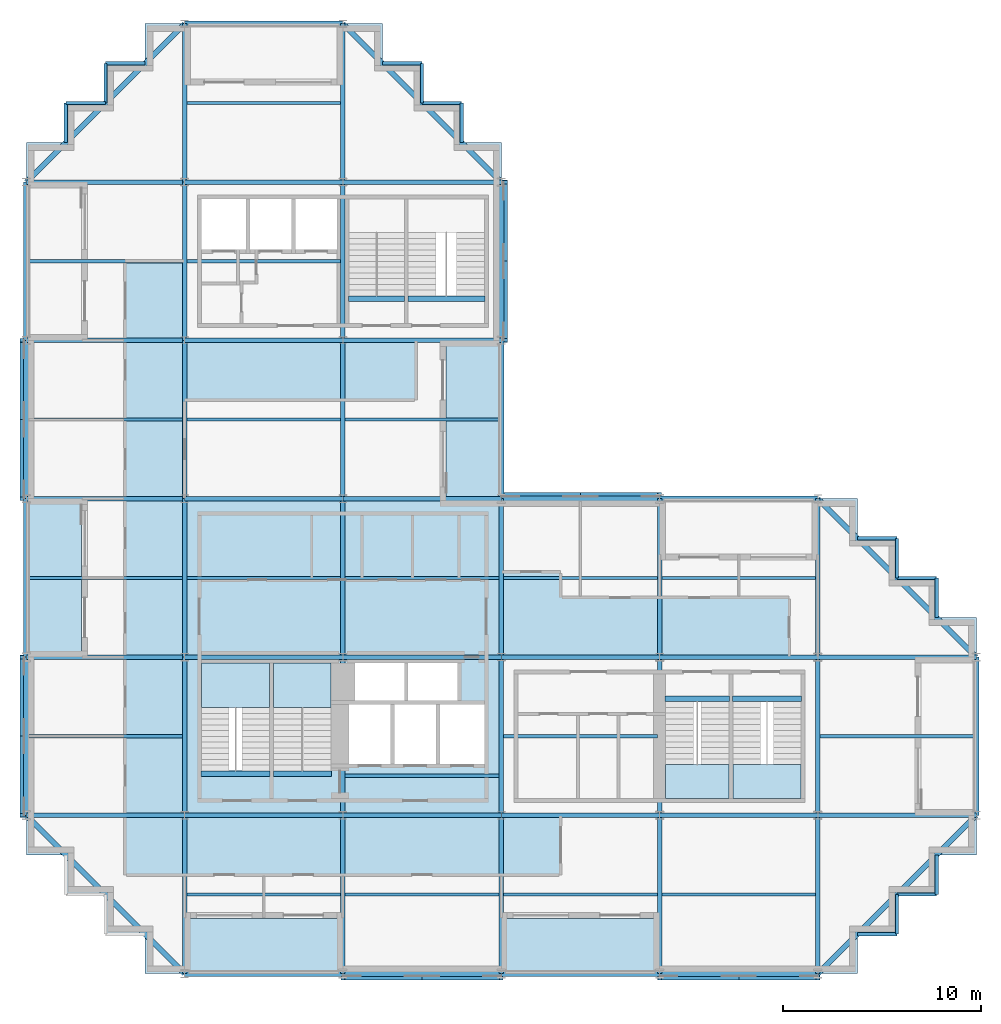
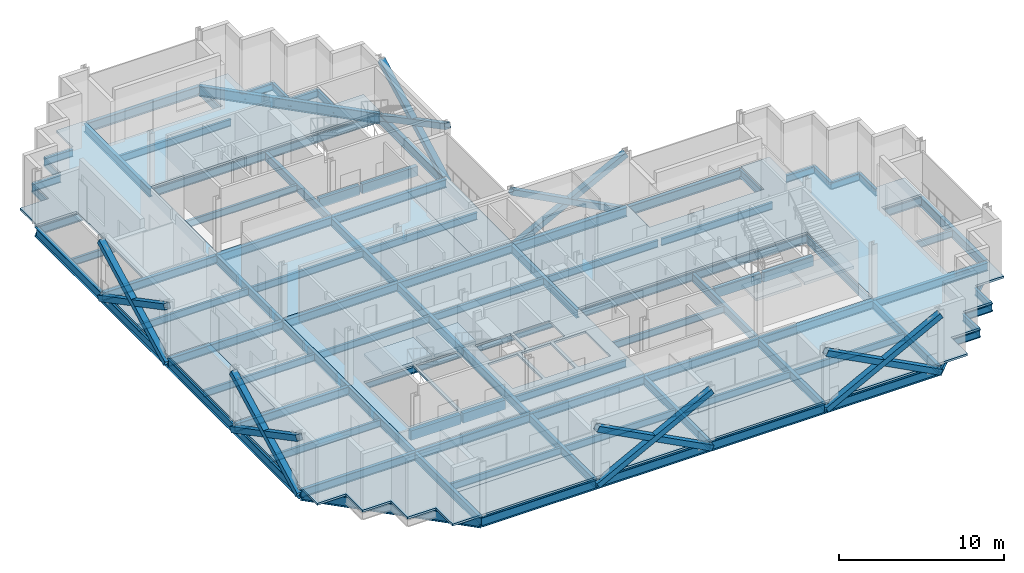
# One storey, part 3 of 11: 102 beams, 12 members, 10 slabs, 4 elements without a shape of their own.
"""IFC4 building model written with IfcOpenShell, lengths in metres."""

import ifcopenshell
import ifcopenshell.guid

model = None  # the IFC model being written
_history = None  # IfcOwnerHistory: only IFC2X3 demands one
_inside = {}  # id of a spatial element -> (the spatial element, [elements in it])
_under = {}  # id of a project, library or spatial element -> (it, [spatial elements below it])
_declared = {}  # id of a project -> (the project, [libraries it declares])
_typed = {}  # id of a type object -> (the type object, [elements of that type])
_made_of = {}  # id of a material, layer set ... -> (it, [elements and type objects made of it])


def new_model(schema):
    """Start an empty IFC model of exactly this schema.

    Asked for "IFC4X3", IfcOpenShell would pick the latest addendum, in which some entities
    have other attributes; the version numbers below select the first issue.
    IFC2X3 requires an IfcOwnerHistory on every rooted entity: one is made here for all.
    """
    global model, _history
    if schema == "IFC4X3":
        model = ifcopenshell.file(schema_version=(4, 3, 0, 0))
    else:
        model = ifcopenshell.file(schema=schema)
    _inside.clear()
    _under.clear()
    _declared.clear()
    _typed.clear()
    _made_of.clear()
    _history = None
    if model.schema == "IFC2X3":
        org = make("IfcOrganization", Name="unknown")
        user = make(
            "IfcPersonAndOrganization",
            ThePerson=make("IfcPerson", FamilyName="unknown"),
            TheOrganization=org,
        )
        app = make(
            "IfcApplication",
            ApplicationDeveloper=org,
            Version="unknown",
            ApplicationFullName="unknown",
            ApplicationIdentifier="unknown",
        )
        _history = make(
            "IfcOwnerHistory",
            OwningUser=user,
            OwningApplication=app,
            ChangeAction="ADDED",
            CreationDate=0,
        )
    return model


def make(cls, **values):
    """One entity of the class cls with the attributes given. An attribute that is None is left unset."""
    return model.create_entity(
        cls, **{name: value for name, value in values.items() if value is not None}
    )


def rooted(cls, **values):
    """An entity with a GlobalId (a new one), such as an element, a storey or a relation."""
    return make(cls, GlobalId=ifcopenshell.guid.new(), OwnerHistory=_history, **values)


def si_unit(unit_type, name, prefix=None):
    """IfcSIUnit, for example si_unit("LENGTHUNIT", "METRE", prefix="MILLI")."""
    return make("IfcSIUnit", UnitType=unit_type, Prefix=prefix, Name=name)


def assignment(units):
    """IfcUnitAssignment: the units of a project."""
    return None if units is None else make("IfcUnitAssignment", Units=units)


def point(xyz):
    """IfcCartesianPoint."""
    return None if xyz is None else make("IfcCartesianPoint", Coordinates=xyz)


def direction(xyz):
    """IfcDirection."""
    return None if xyz is None else make("IfcDirection", DirectionRatios=xyz)


def frame(location, z_axis=None, x_axis=None):
    """IfcAxis2Placement3D, a coordinate frame: its origin and axes. An axis left out is left unset."""
    return make(
        "IfcAxis2Placement3D",
        Location=point(location),
        Axis=direction(z_axis),
        RefDirection=direction(x_axis),
    )


def frame_2d(location, x_axis=None):
    """IfcAxis2Placement2D, a coordinate frame in the plane: its origin and x axis."""
    return make(
        "IfcAxis2Placement2D", Location=point(location), RefDirection=direction(x_axis)
    )


def origin():
    """The frame at (0, 0, 0) with its axes left unset."""
    return frame((0.0, 0.0, 0.0))


def origin_2d():
    """The frame at (0, 0) in the plane with its x axis left unset."""
    return frame_2d((0.0, 0.0))


def place(relative_to, where):
    """IfcLocalPlacement: puts the frame where relative to a parent placement (None: the world)."""
    return make(
        "IfcLocalPlacement", PlacementRelTo=relative_to, RelativePlacement=where
    )


def context(
    kind, dimensions, precision=None, world=None, true_north=None, identifier=None
):
    """IfcGeometricRepresentationContext, for example the 3D "Model" context."""
    return make(
        "IfcGeometricRepresentationContext",
        ContextIdentifier=identifier,
        ContextType=kind,
        CoordinateSpaceDimension=dimensions,
        Precision=precision,
        WorldCoordinateSystem=world,
        TrueNorth=true_north,
    )


def subcontext(parent, identifier, kind, view, scale=None):
    """IfcGeometricRepresentationSubContext, for example "Body" below "Model"."""
    return make(
        "IfcGeometricRepresentationSubContext",
        ContextIdentifier=identifier,
        ContextType=kind,
        ParentContext=parent,
        TargetScale=scale,
        TargetView=view,
    )


def project(units=None, contexts=None):
    """IfcProject with its units and contexts."""
    return rooted(
        "IfcProject",
        Name="project",
        RepresentationContexts=contexts,
        UnitsInContext=assignment(units),
    )


def spatial(cls, under=None, at=None, **own):
    """A site, building, storey or space (cls), placed at a placement, below another one or the project."""
    s = rooted(cls, ObjectPlacement=at, **own)
    if under is not None:
        _under.setdefault(under.id(), (under, []))[1].append(s)
    return s


def polyline(points):
    """IfcPolyline through the points."""
    return make("IfcPolyline", Points=[point(p) for p in points])


def profile(cls, at=None, kind="AREA", **sizes):
    """A parametric profile (cls). Its sizes go by their IFC names, for example OverallWidth=200.0."""
    return make(cls, ProfileType=kind, Position=at, **sizes)


def rectangle(**sizes):
    """IfcRectangleProfileDef."""
    return profile("IfcRectangleProfileDef", **sizes)


def hollow_rectangle(**sizes):
    """IfcRectangleHollowProfileDef."""
    return profile("IfcRectangleHollowProfileDef", **sizes)


def i_section(**sizes):
    """IfcIShapeProfileDef."""
    return profile("IfcIShapeProfileDef", **sizes)


def outline(outer, holes=None, kind="AREA"):
    """IfcArbitraryClosedProfileDef: a profile drawn as a closed curve; with holes, ...WithVoids."""
    if holes is None:
        return make("IfcArbitraryClosedProfileDef", ProfileType=kind, OuterCurve=outer)
    return make(
        "IfcArbitraryProfileDefWithVoids",
        ProfileType=kind,
        OuterCurve=outer,
        InnerCurves=holes,
    )


def extrude(swept, where, along, depth):
    """IfcExtrudedAreaSolid: the profile swept, set in the frame where, extruded along a direction by depth."""
    return make(
        "IfcExtrudedAreaSolid",
        SweptArea=swept,
        Position=where,
        ExtrudedDirection=direction(along),
        Depth=depth,
    )


def shape(context_of_items, identifier, shape_type, items):
    """IfcShapeRepresentation: the items that make up one representation, for example the "Body"."""
    return make(
        "IfcShapeRepresentation",
        ContextOfItems=context_of_items,
        RepresentationIdentifier=identifier,
        RepresentationType=shape_type,
        Items=items,
    )


def material(Name=None, Category=None):
    """IfcMaterial."""
    return make("IfcMaterial", Name=Name, Category=Category)


def layer(
    of_material, thickness, ventilated=None, Name=None, Category=None, Priority=None
):
    """IfcMaterialLayer: one layer of a wall or slab, of a material (None: an air gap)."""
    return make(
        "IfcMaterialLayer",
        Material=of_material,
        LayerThickness=thickness,
        IsVentilated=ventilated,
        Name=Name,
        Category=Category,
        Priority=Priority,
    )


def layer_set(layers, Name=None):
    """IfcMaterialLayerSet."""
    return make("IfcMaterialLayerSet", MaterialLayers=layers, LayerSetName=Name)


def material_profile(
    of_material, cross_section, Name=None, Category=None, Priority=None
):
    """IfcMaterialProfile: a cross section and its material."""
    return make(
        "IfcMaterialProfile",
        Name=Name,
        Material=of_material,
        Profile=cross_section,
        Priority=Priority,
        Category=Category,
    )


def profile_set(profiles, Name=None, composite=None):
    """IfcMaterialProfileSet."""
    return make(
        "IfcMaterialProfileSet",
        Name=Name,
        MaterialProfiles=profiles,
        CompositeProfile=composite,
    )


def made_of(thing, what):
    """Note that an element or type object is made of a material, layer set ...; save() writes the relation."""
    if what is not None:
        _made_of.setdefault(what.id(), (what, []))[1].append(thing)
    return thing


def type_object(cls, material=None, **own):
    """A type object (cls), such as IfcWallType, which elements share."""
    return made_of(rooted(cls, **own), material)


def element(
    cls,
    number,
    at=None,
    inside=None,
    cuts=None,
    type_object=None,
    material=None,
    context=None,
    identifier="Body",
    shape_type=None,
    held_by="IfcProductDefinitionShape",
    body=None,
    shapes=None,
    **own,
):
    """One element of the class cls, such as IfcWall. Its Tag is "e" and its number.

    at: its placement. inside: the storey or other place that contains it. cuts: it is an
    opening in that element (IfcRelVoidsElement). A single representation is given by context,
    identifier, shape_type and body (its items); several are given by shapes. held_by: the class
    of the entity that holds the representations. save() writes the other relations.
    """
    e = rooted(cls, Tag="e%d" % number, ObjectPlacement=at, **own)
    if body is not None:
        shapes = [shape(context, identifier, shape_type, body)]
    if shapes is not None:
        e.Representation = make(held_by, Representations=shapes)
    if inside is not None:
        _inside.setdefault(inside.id(), (inside, []))[1].append(e)
    if cuts is not None:
        rooted(
            "IfcRelVoidsElement", RelatingBuildingElement=cuts, RelatedOpeningElement=e
        )
    if type_object is not None:
        _typed.setdefault(type_object.id(), (type_object, []))[1].append(e)
    return made_of(e, material)


def aggregate(whole, parts):
    """IfcRelAggregates: a whole, such as a stair, and the parts it consists of."""
    return rooted("IfcRelAggregates", RelatingObject=whole, RelatedObjects=parts)


def save(model, path):
    """Write the relations noted so far, then the file.

    IfcRelAggregates (storeys below a building ...), IfcRelContainedInSpatialStructure (elements
    in a storey), IfcRelDefinesByType, IfcRelAssociatesMaterial and IfcRelDeclares: one each for
    every whole, place, type object, material and project.
    """
    for whole, parts in _under.values():
        aggregate(whole, parts)
    for where, things in _inside.values():
        rooted(
            "IfcRelContainedInSpatialStructure",
            RelatedElements=things,
            RelatingStructure=where,
        )
    for kind, things in _typed.values():
        rooted("IfcRelDefinesByType", RelatedObjects=things, RelatingType=kind)
    for what, things in _made_of.values():
        rooted("IfcRelAssociatesMaterial", RelatedObjects=things, RelatingMaterial=what)
    for by, libraries in _declared.values():
        rooted("IfcRelDeclares", RelatingContext=by, RelatedDefinitions=libraries)
    model.write(path)


model = new_model("IFC4")

# Units and contexts
model_context = context("Model", 3, precision=1e-05, world=origin(), true_north=direction((0.0, 1.0)))
body_context = subcontext(model_context, "Body", "Model", "MODEL_VIEW")
ifc_project = project(units=[si_unit("LENGTHUNIT", "METRE"), si_unit("AREAUNIT", "SQUARE_METRE"), si_unit("VOLUMEUNIT", "CUBIC_METRE"), si_unit("PLANEANGLEUNIT", "RADIAN"), si_unit("MASSUNIT", "GRAM", prefix="KILO")], contexts=[model_context])

# Site, building, storey
site_placement = place(None, origin())
site = spatial("IfcSite", under=ifc_project, at=site_placement, CompositionType="ELEMENT")
building_placement = place(site_placement, origin())
building = spatial("IfcBuilding", under=site, at=building_placement, Name="Immortelle Media Tower", CompositionType="ELEMENT")
storey_placement = place(building_placement, frame((0.0, 0.0, 141.0)))
storey = spatial("IfcBuildingStorey", under=building, at=storey_placement, Name="L28", CompositionType="ELEMENT", Elevation=141.0)

# Members
ifc_material_1 = material(Name="Steel ASTM A500 Gr C", Category="steel")
ifc_material_profile_1 = material_profile(ifc_material_1, hollow_rectangle(XDim=0.406005859375, YDim=0.406005859375, WallThickness=0.011962890625, at=origin_2d()), Name="HSS16x16x1/2 brace")
ifc_profile_set_1 = profile_set([ifc_material_profile_1], Name="Steel ASTM A500 Gr C")
member_type = type_object("IfcMemberType", Name="HSS16x16x1/2 brace", PredefinedType="BRACE", material=ifc_profile_set_1)
for number, where, z_axis, x_axis, name in (
    (1, (16.0, -0.113037109375, -0.49658203125), (0.885389006355, 0.0, 0.464850844279), (0.0, 1.0, 0.0), "Brace A/3-4 A"),
    (2, (16.0, -0.113037109375, 3.70361328125), (0.885389006355, 0.0, -0.464850844279), (0.0, 1.0, 0.0), "Brace A/3-4 B"),
    (3, (32.0, -0.113037109375, -0.49658203125), (0.885389006355, 0.0, 0.464850844279), (0.0, 1.0, 0.0), "Brace A/5-6 A"),
    (4, (32.0, -0.113037109375, 3.70361328125), (0.885389006355, 0.0, -0.464850844279), (0.0, 1.0, 0.0), "Brace A/5-6 B"),
    (5, (32.0, 24.113037109375, -0.49658203125), (-0.885389006355, 0.0, 0.464850844279), (0.0, -1.0, 0.0), "Brace D/4-5 A"),
    (6, (32.0, 24.113037109375, 3.70361328125), (-0.885389006355, 0.0, -0.464850844279), (0.0, -1.0, 0.0), "Brace D/4-5 B"),
    (7, (24.113037109375, 32.0, -0.49658203125), (0.0, 0.885389006355, 0.464850844279), (-1.0, 0.0, 0.0), "Brace 4/E-F A"),
    (8, (24.113037109375, 32.0, 3.70361328125), (0.0, 0.885389006355, -0.464850844279), (-1.0, 0.0, 0.0), "Brace 4/E-F B"),
    (9, (-0.113037109375, 32.0, -0.49658203125), (0.0, -0.885389006355, 0.464850844279), (1.0, 0.0, 0.0), "Brace 1/D-E A"),
    (10, (-0.113037109375, 32.0, 3.70361328125), (0.0, -0.885389006355, -0.464850844279), (1.0, 0.0, 0.0), "Brace 1/D-E B"),
    (11, (-0.113037109375, 16.0, -0.49658203125), (0.0, -0.885389006355, 0.464850844279), (1.0, 0.0, 0.0), "Brace 1/B-C A"),
    (12, (-0.113037109375, 16.0, 3.70361328125), (0.0, -0.885389006355, -0.464850844279), (1.0, 0.0, 0.0), "Brace 1/B-C B"),
):
    element("IfcMember", number, at=place(storey_placement, frame(where, z_axis=z_axis, x_axis=x_axis)), inside=storey, type_object=member_type, Name=name, PredefinedType="BRACE", context=body_context, shape_type="SweptSolid", body=[
        extrude(hollow_rectangle(XDim=0.406005859375, YDim=0.406005859375, WallThickness=0.011962890625, at=origin_2d()), origin(), (0.0, 0.0, 1.0), 9.03564453125),
    ])

# Beams
ifc_material_2 = material(Name="Concrete C50/60", Category="concrete")
ifc_material_profile_2 = material_profile(ifc_material_2, rectangle(XDim=0.300048828125, YDim=0.699951171875, at=origin_2d()), Name="RC 300x700")
ifc_profile_set_2 = profile_set([ifc_material_profile_2], Name="Concrete C50/60")
beam_type_1 = type_object("IfcBeamType", Name="Stair trimmer beam 300 x 700", PredefinedType="BEAM", material=ifc_profile_set_2)
beam_1_placement = place(storey_placement, frame((8.830078125, 10.10498046875, -0.5), z_axis=(1.0, 0.0, 0.0), x_axis=(0.0, 1.0, 0.0)))
element("IfcBeam", 13, at=beam_1_placement, inside=storey, type_object=beam_type_1, Name="Stair trimmer beam SW1", PredefinedType="BEAM", context=body_context, shape_type="SweptSolid", body=[
    extrude(rectangle(XDim=0.300048828125, YDim=0.699951171875, at=origin_2d()), origin(), (0.0, 0.0, 1.0), 3.489990234375),
])
beam_2_placement = place(storey_placement, frame((12.47998046875, 10.10498046875, -0.5), z_axis=(1.0, 0.0, 0.0), x_axis=(0.0, 1.0, 0.0)))
element("IfcBeam", 14, at=beam_2_placement, inside=storey, type_object=beam_type_1, Name="Stair trimmer beam SW2", PredefinedType="BEAM", context=body_context, shape_type="SweptSolid", body=[
    extrude(rectangle(XDim=0.300048828125, YDim=0.699951171875, at=origin_2d()), origin(), (0.0, 0.0, 1.0), 2.93994140625),
])
beam_3_placement = place(storey_placement, frame((32.280029296875, 13.89501953125, -0.5), z_axis=(1.0, 0.0, 0.0), x_axis=(0.0, 1.0, 0.0)))
element("IfcBeam", 15, at=beam_3_placement, inside=storey, type_object=beam_type_1, Name="Stair trimmer beam SE1", PredefinedType="BEAM", context=body_context, shape_type="SweptSolid", body=[
    extrude(rectangle(XDim=0.300048828125, YDim=0.699951171875, at=origin_2d()), origin(), (0.0, 0.0, 1.0), 3.239990234375),
])
beam_4_placement = place(storey_placement, frame((35.679931640625, 13.89501953125, -0.5), z_axis=(1.0, 0.0, 0.0), x_axis=(0.0, 1.0, 0.0)))
element("IfcBeam", 16, at=beam_4_placement, inside=storey, type_object=beam_type_1, Name="Stair trimmer beam SE2", PredefinedType="BEAM", context=body_context, shape_type="SweptSolid", body=[
    extrude(rectangle(XDim=0.300048828125, YDim=0.699951171875, at=origin_2d()), origin(), (0.0, 0.0, 1.0), 3.489990234375),
])
beam_5_placement = place(storey_placement, frame((16.280029296875, 34.10498046875, -0.5), z_axis=(1.0, 0.0, 0.0), x_axis=(0.0, 1.0, 0.0)))
element("IfcBeam", 17, at=beam_5_placement, inside=storey, type_object=beam_type_1, Name="Stair trimmer beam NW1", PredefinedType="BEAM", context=body_context, shape_type="SweptSolid", body=[
    extrude(rectangle(XDim=0.300048828125, YDim=0.699951171875, at=origin_2d()), origin(), (0.0, 0.0, 1.0), 2.840087890625),
])
beam_6_placement = place(storey_placement, frame((19.280029296875, 34.10498046875, -0.5), z_axis=(1.0, 0.0, 0.0), x_axis=(0.0, 1.0, 0.0)))
element("IfcBeam", 18, at=beam_6_placement, inside=storey, type_object=beam_type_1, Name="Stair trimmer beam NW2", PredefinedType="BEAM", context=body_context, shape_type="SweptSolid", body=[
    extrude(rectangle(XDim=0.300048828125, YDim=0.699951171875, at=origin_2d()), origin(), (0.0, 0.0, 1.0), 3.889892578125),
])
ifc_material_3 = material(Name="Steel ASTM A992 Gr 50", Category="steel")
ifc_material_profile_3 = material_profile(ifc_material_3, i_section(OverallWidth=0.1650390625, OverallDepth=0.52587890625, WebThickness=0.009033203125, FlangeThickness=0.010986328125, at=origin_2d()), Name="W21x44")
ifc_profile_set_3 = profile_set([ifc_material_profile_3], Name="Steel ASTM A992 Gr 50")
beam_type_2 = type_object("IfcBeamType", Name="W21x44 secondary beam", PredefinedType="JOIST", material=ifc_profile_set_3)
for number, where, z_axis, x_axis, name in (
    (19, (8.114501953125, 4.0, -0.4130859375), (1.0, 0.0, 0.0), (0.0, 1.0, 0.0), "Beam A-B/2-3"),
    (20, (16.114501953125, 4.0, -0.4130859375), (1.0, 0.0, 0.0), (0.0, 1.0, 0.0), "Beam A-B/3-4"),
    (21, (24.114501953125, 4.0, -0.4130859375), (1.0, 0.0, 0.0), (0.0, 1.0, 0.0), "Beam A-B/4-5"),
    (22, (32.114501953125, 4.0, -0.4130859375), (1.0, 0.0, 0.0), (0.0, 1.0, 0.0), "Beam A-B/5-6"),
):
    element("IfcBeam", number, at=place(storey_placement, frame(where, z_axis=z_axis, x_axis=x_axis)), inside=storey, type_object=beam_type_2, Name=name, PredefinedType="JOIST", context=body_context, shape_type="SweptSolid", body=[
        extrude(i_section(OverallWidth=0.1650390625, OverallDepth=0.52587890625, WebThickness=0.009033203125, FlangeThickness=0.010986328125, at=origin_2d()), origin(), (0.0, 0.0, 1.0), 7.77099609375),
    ])
beam_7_placement = place(storey_placement, frame((0.12841796875, 12.0, -0.4130859375), z_axis=(1.0, 0.0, 0.0), x_axis=(0.0, 1.0, 0.0)))
element("IfcBeam", 23, at=beam_7_placement, inside=storey, type_object=beam_type_2, Name="Beam B-C/1-2", PredefinedType="JOIST", context=body_context, shape_type="SweptSolid", body=[
    extrude(i_section(OverallWidth=0.1650390625, OverallDepth=0.52587890625, WebThickness=0.009033203125, FlangeThickness=0.010986328125, at=origin_2d()), origin(), (0.0, 0.0, 1.0), 7.757080078125),
])
for number, where, z_axis, x_axis, name in (
    (24, (16.114501953125, 10.0, -0.4130859375), (1.0, 0.0, 0.0), (0.0, 1.0, 0.0), "Beam B-C/3-4"),
    (25, (24.114501953125, 12.0, -0.4130859375), (1.0, 0.0, 0.0), (0.0, 1.0, 0.0), "Beam B-C/4-5"),
):
    element("IfcBeam", number, at=place(storey_placement, frame(where, z_axis=z_axis, x_axis=x_axis)), inside=storey, type_object=beam_type_2, Name=name, PredefinedType="JOIST", context=body_context, shape_type="SweptSolid", body=[
        extrude(i_section(OverallWidth=0.1650390625, OverallDepth=0.52587890625, WebThickness=0.009033203125, FlangeThickness=0.010986328125, at=origin_2d()), origin(), (0.0, 0.0, 1.0), 7.77099609375),
    ])
for number, where, z_axis, x_axis, name in (
    (26, (40.114501953125, 12.0, -0.4130859375), (1.0, 0.0, 0.0), (0.0, 1.0, 0.0), "Beam B-C/6-7"),
    (27, (0.12841796875, 20.0, -0.4130859375), (1.0, 0.0, 0.0), (0.0, 1.0, 0.0), "Beam C-D/1-2"),
):
    element("IfcBeam", number, at=place(storey_placement, frame(where, z_axis=z_axis, x_axis=x_axis)), inside=storey, type_object=beam_type_2, Name=name, PredefinedType="JOIST", context=body_context, shape_type="SweptSolid", body=[
        extrude(i_section(OverallWidth=0.1650390625, OverallDepth=0.52587890625, WebThickness=0.009033203125, FlangeThickness=0.010986328125, at=origin_2d()), origin(), (0.0, 0.0, 1.0), 7.757080078125),
    ])
for number, where, z_axis, x_axis, name in (
    (28, (8.114501953125, 20.0, -0.4130859375), (1.0, 0.0, 0.0), (0.0, 1.0, 0.0), "Beam C-D/2-3"),
    (29, (16.114501953125, 20.0, -0.4130859375), (1.0, 0.0, 0.0), (0.0, 1.0, 0.0), "Beam C-D/3-4"),
    (30, (24.114501953125, 20.0, -0.4130859375), (1.0, 0.0, 0.0), (0.0, 1.0, 0.0), "Beam C-D/4-5"),
    (31, (32.114501953125, 20.0, -0.4130859375), (1.0, 0.0, 0.0), (0.0, 1.0, 0.0), "Beam C-D/5-6"),
):
    element("IfcBeam", number, at=place(storey_placement, frame(where, z_axis=z_axis, x_axis=x_axis)), inside=storey, type_object=beam_type_2, Name=name, PredefinedType="JOIST", context=body_context, shape_type="SweptSolid", body=[
        extrude(i_section(OverallWidth=0.1650390625, OverallDepth=0.52587890625, WebThickness=0.009033203125, FlangeThickness=0.010986328125, at=origin_2d()), origin(), (0.0, 0.0, 1.0), 7.77099609375),
    ])
beam_8_placement = place(storey_placement, frame((0.12841796875, 28.0, -0.4130859375), z_axis=(1.0, 0.0, 0.0), x_axis=(0.0, 1.0, 0.0)))
element("IfcBeam", 32, at=beam_8_placement, inside=storey, type_object=beam_type_2, Name="Beam D-E/1-2", PredefinedType="JOIST", context=body_context, shape_type="SweptSolid", body=[
    extrude(i_section(OverallWidth=0.1650390625, OverallDepth=0.52587890625, WebThickness=0.009033203125, FlangeThickness=0.010986328125, at=origin_2d()), origin(), (0.0, 0.0, 1.0), 7.757080078125),
])
beam_9_placement = place(storey_placement, frame((8.114501953125, 28.0, -0.4130859375), z_axis=(1.0, 0.0, 0.0), x_axis=(0.0, 1.0, 0.0)))
element("IfcBeam", 33, at=beam_9_placement, inside=storey, type_object=beam_type_2, Name="Beam D-E/2-3", PredefinedType="JOIST", context=body_context, shape_type="SweptSolid", body=[
    extrude(i_section(OverallWidth=0.1650390625, OverallDepth=0.52587890625, WebThickness=0.009033203125, FlangeThickness=0.010986328125, at=origin_2d()), origin(), (0.0, 0.0, 1.0), 7.77099609375),
])
for number, where, z_axis, x_axis, name in (
    (34, (16.114501953125, 28.0, -0.4130859375), (1.0, 0.0, 0.0), (0.0, 1.0, 0.0), "Beam D-E/3-4"),
    (35, (0.12841796875, 36.0, -0.4130859375), (1.0, 0.0, 0.0), (0.0, 1.0, 0.0), "Beam E-F/1-2"),
):
    element("IfcBeam", number, at=place(storey_placement, frame(where, z_axis=z_axis, x_axis=x_axis)), inside=storey, type_object=beam_type_2, Name=name, PredefinedType="JOIST", context=body_context, shape_type="SweptSolid", body=[
        extrude(i_section(OverallWidth=0.1650390625, OverallDepth=0.52587890625, WebThickness=0.009033203125, FlangeThickness=0.010986328125, at=origin_2d()), origin(), (0.0, 0.0, 1.0), 7.757080078125),
    ])
for number, where, z_axis, x_axis, name in (
    (36, (8.114501953125, 36.0, -0.4130859375), (1.0, 0.0, 0.0), (0.0, 1.0, 0.0), "Beam E-F/2-3"),
    (37, (8.114501953125, 44.0, -0.4130859375), (1.0, 0.0, 0.0), (0.0, 1.0, 0.0), "Beam F-G/2-3"),
):
    element("IfcBeam", number, at=place(storey_placement, frame(where, z_axis=z_axis, x_axis=x_axis)), inside=storey, type_object=beam_type_2, Name=name, PredefinedType="JOIST", context=body_context, shape_type="SweptSolid", body=[
        extrude(i_section(OverallWidth=0.1650390625, OverallDepth=0.52587890625, WebThickness=0.009033203125, FlangeThickness=0.010986328125, at=origin_2d()), origin(), (0.0, 0.0, 1.0), 7.77099609375),
    ])
ifc_material_profile_4 = material_profile(ifc_material_3, i_section(OverallWidth=0.1650390625, OverallDepth=0.52587890625, WebThickness=0.009033203125, FlangeThickness=0.010986328125, at=origin_2d()), Name="W21x44")
ifc_profile_set_4 = profile_set([ifc_material_profile_4], Name="Steel ASTM A992 Gr 50")
beam_type_3 = type_object("IfcBeamType", Name="W21x44 serration edge beam", PredefinedType="SPANDREL", material=ifc_profile_set_4)
for number, where, z_axis, x_axis, name in (
    (38, (2.0, 42.0, -0.4130859375), (0.0, 1.0, 0.0), (-1.0, 0.0, 0.0), "Corner edge beam 1 at 1/G"),
    (39, (2.0, 44.0, -0.4130859375), (1.0, 0.0, 0.0), (0.0, 1.0, 0.0), "Corner edge beam 2 at 1/G"),
    (40, (4.0, 44.0, -0.4130859375), (0.0, 1.0, 0.0), (-1.0, 0.0, 0.0), "Corner edge beam 3 at 1/G"),
    (41, (4.0, 46.0, -0.4130859375), (1.0, 0.0, 0.0), (0.0, 1.0, 0.0), "Corner edge beam 4 at 1/G"),
    (42, (18.0, 46.0, -0.4130859375), (1.0, 0.0, 0.0), (0.0, 1.0, 0.0), "Corner edge beam 1 at 4/G"),
    (43, (20.0, 46.0, -0.4130859375), (0.0, -1.0, 0.0), (1.0, 0.0, 0.0), "Corner edge beam 2 at 4/G"),
    (44, (20.0, 44.0, -0.4130859375), (1.0, 0.0, 0.0), (0.0, 1.0, 0.0), "Corner edge beam 3 at 4/G"),
    (45, (22.0, 44.0, -0.4130859375), (0.0, -1.0, 0.0), (1.0, 0.0, 0.0), "Corner edge beam 4 at 4/G"),
    (46, (46.0, 6.0, -0.4130859375), (0.0, -1.0, 0.0), (1.0, 0.0, 0.0), "Corner edge beam 1 at 7/A"),
    (47, (46.0, 4.0, -0.4130859375), (-1.0, 0.0, 0.0), (0.0, -1.0, 0.0), "Corner edge beam 2 at 7/A"),
    (48, (44.0, 4.0, -0.4130859375), (0.0, -1.0, 0.0), (1.0, 0.0, 0.0), "Corner edge beam 3 at 7/A"),
    (49, (44.0, 2.0, -0.4130859375), (-1.0, 0.0, 0.0), (0.0, -1.0, 0.0), "Corner edge beam 4 at 7/A"),
    (50, (42.0, 22.0, -0.4130859375), (1.0, 0.0, 0.0), (0.0, 1.0, 0.0), "Corner edge beam 1 at 7/D"),
    (51, (44.0, 22.0, -0.4130859375), (0.0, -1.0, 0.0), (1.0, 0.0, 0.0), "Corner edge beam 2 at 7/D"),
    (52, (44.0, 20.0, -0.4130859375), (1.0, 0.0, 0.0), (0.0, 1.0, 0.0), "Corner edge beam 3 at 7/D"),
    (53, (46.0, 20.0, -0.4130859375), (0.0, -1.0, 0.0), (1.0, 0.0, 0.0), "Corner edge beam 4 at 7/D"),
):
    element("IfcBeam", number, at=place(storey_placement, frame(where, z_axis=z_axis, x_axis=x_axis)), inside=storey, type_object=beam_type_3, Name=name, PredefinedType="SPANDREL", context=body_context, shape_type="SweptSolid", body=[
        extrude(i_section(OverallWidth=0.1650390625, OverallDepth=0.52587890625, WebThickness=0.009033203125, FlangeThickness=0.010986328125, at=origin_2d()), origin(), (0.0, 0.0, 1.0), 2.0),
    ])
ifc_material_profile_5 = material_profile(ifc_material_3, i_section(OverallWidth=0.22900390625, OverallDepth=0.612060546875, WebThickness=0.011962890625, FlangeThickness=0.02001953125, at=origin_2d()), Name="W24x84")
ifc_profile_set_5 = profile_set([ifc_material_profile_5], Name="Steel ASTM A992 Gr 50")
beam_type_4 = type_object("IfcBeamType", Name="W24x84 girder", PredefinedType="BEAM", material=ifc_profile_set_5)
for number, where, z_axis, x_axis, name in (
    (54, (0.0, 8.0, -0.4560546875), (1.0, 0.0, 0.0), (0.0, 1.0, 0.0), "Girder B/1-2"),
    (55, (0.0, 16.0, -0.4560546875), (1.0, 0.0, 0.0), (0.0, 1.0, 0.0), "Girder C/1-2"),
    (56, (0.0, 24.0, -0.4560546875), (1.0, 0.0, 0.0), (0.0, 1.0, 0.0), "Girder D/1-2"),
    (57, (0.0, 32.0, -0.4560546875), (1.0, 0.0, 0.0), (0.0, 1.0, 0.0), "Girder E/1-2"),
    (58, (0.0, 40.0, -0.4560546875), (1.0, 0.0, 0.0), (0.0, 1.0, 0.0), "Girder F/1-2"),
    (59, (8.0, 0.0, -0.4560546875), (0.0, 1.0, 0.0), (-1.0, 0.0, 0.0), "Girder 2/A-B"),
    (60, (8.0, 8.0, -0.4560546875), (1.0, 0.0, 0.0), (0.0, 1.0, 0.0), "Girder B/2-3"),
    (61, (8.0, 8.0, -0.4560546875), (0.0, 1.0, 0.0), (-1.0, 0.0, 0.0), "Girder 2/B-C"),
    (62, (8.0, 16.0, -0.4560546875), (1.0, 0.0, 0.0), (0.0, 1.0, 0.0), "Girder C/2-3"),
    (63, (8.0, 16.0, -0.4560546875), (0.0, 1.0, 0.0), (-1.0, 0.0, 0.0), "Girder 2/C-D"),
    (64, (8.0, 24.0, -0.4560546875), (1.0, 0.0, 0.0), (0.0, 1.0, 0.0), "Girder D/2-3"),
    (65, (8.0, 24.0, -0.4560546875), (0.0, 1.0, 0.0), (-1.0, 0.0, 0.0), "Girder 2/D-E"),
    (66, (8.0, 32.0, -0.4560546875), (1.0, 0.0, 0.0), (0.0, 1.0, 0.0), "Girder E/2-3"),
    (67, (8.0, 32.0, -0.4560546875), (0.0, 1.0, 0.0), (-1.0, 0.0, 0.0), "Girder 2/E-F"),
    (68, (8.0, 40.0, -0.4560546875), (1.0, 0.0, 0.0), (0.0, 1.0, 0.0), "Girder F/2-3"),
    (69, (8.0, 40.0, -0.4560546875), (0.0, 1.0, 0.0), (-1.0, 0.0, 0.0), "Girder 2/F-G"),
    (70, (16.0, 0.0, -0.4560546875), (0.0, 1.0, 0.0), (-1.0, 0.0, 0.0), "Girder 3/A-B"),
    (71, (16.0, 8.0, -0.4560546875), (1.0, 0.0, 0.0), (0.0, 1.0, 0.0), "Girder B/3-4"),
    (72, (16.0, 8.0, -0.4560546875), (0.0, 1.0, 0.0), (-1.0, 0.0, 0.0), "Girder 3/B-C"),
    (73, (16.0, 16.0, -0.4560546875), (1.0, 0.0, 0.0), (0.0, 1.0, 0.0), "Girder C/3-4"),
    (74, (16.0, 16.0, -0.4560546875), (0.0, 1.0, 0.0), (-1.0, 0.0, 0.0), "Girder 3/C-D"),
    (75, (16.0, 24.0, -0.4560546875), (1.0, 0.0, 0.0), (0.0, 1.0, 0.0), "Girder D/3-4"),
    (76, (16.0, 24.0, -0.4560546875), (0.0, 1.0, 0.0), (-1.0, 0.0, 0.0), "Girder 3/D-E"),
    (77, (16.0, 32.0, -0.4560546875), (1.0, 0.0, 0.0), (0.0, 1.0, 0.0), "Girder E/3-4"),
    (78, (16.0, 32.0, -0.4560546875), (0.0, 1.0, 0.0), (-1.0, 0.0, 0.0), "Girder 3/E-F"),
    (79, (16.0, 40.0, -0.4560546875), (1.0, 0.0, 0.0), (0.0, 1.0, 0.0), "Girder F/3-4"),
    (80, (16.0, 40.0, -0.4560546875), (0.0, 1.0, 0.0), (-1.0, 0.0, 0.0), "Girder 3/F-G"),
    (81, (24.0, 0.0, -0.4560546875), (0.0, 1.0, 0.0), (-1.0, 0.0, 0.0), "Girder 4/A-B"),
    (82, (24.0, 8.0, -0.4560546875), (1.0, 0.0, 0.0), (0.0, 1.0, 0.0), "Girder B/4-5"),
    (83, (24.0, 8.0, -0.4560546875), (0.0, 1.0, 0.0), (-1.0, 0.0, 0.0), "Girder 4/B-C"),
    (84, (24.0, 16.0, -0.4560546875), (1.0, 0.0, 0.0), (0.0, 1.0, 0.0), "Girder C/4-5"),
    (85, (24.0, 16.0, -0.4560546875), (0.0, 1.0, 0.0), (-1.0, 0.0, 0.0), "Girder 4/C-D"),
    (86, (32.0, 0.0, -0.4560546875), (0.0, 1.0, 0.0), (-1.0, 0.0, 0.0), "Girder 5/A-B"),
    (87, (32.0, 8.0, -0.4560546875), (1.0, 0.0, 0.0), (0.0, 1.0, 0.0), "Girder B/5-6"),
    (88, (32.0, 8.0, -0.4560546875), (0.0, 1.0, 0.0), (-1.0, 0.0, 0.0), "Girder 5/B-C"),
    (89, (32.0, 16.0, -0.4560546875), (1.0, 0.0, 0.0), (0.0, 1.0, 0.0), "Girder C/5-6"),
    (90, (32.0, 16.0, -0.4560546875), (0.0, 1.0, 0.0), (-1.0, 0.0, 0.0), "Girder 5/C-D"),
    (91, (40.0, 0.0, -0.4560546875), (0.0, 1.0, 0.0), (-1.0, 0.0, 0.0), "Girder 6/A-B"),
    (92, (40.0, 8.0, -0.4560546875), (1.0, 0.0, 0.0), (0.0, 1.0, 0.0), "Girder B/6-7"),
    (93, (40.0, 8.0, -0.4560546875), (0.0, 1.0, 0.0), (-1.0, 0.0, 0.0), "Girder 6/B-C"),
    (94, (40.0, 16.0, -0.4560546875), (1.0, 0.0, 0.0), (0.0, 1.0, 0.0), "Girder C/6-7"),
    (95, (40.0, 16.0, -0.4560546875), (0.0, 1.0, 0.0), (-1.0, 0.0, 0.0), "Girder 6/C-D"),
):
    element("IfcBeam", number, at=place(storey_placement, frame(where, z_axis=z_axis, x_axis=x_axis)), inside=storey, type_object=beam_type_4, Name=name, PredefinedType="BEAM", context=body_context, shape_type="SweptSolid", body=[
        extrude(i_section(OverallWidth=0.22900390625, OverallDepth=0.612060546875, WebThickness=0.011962890625, FlangeThickness=0.02001953125, at=origin_2d()), origin(), (0.0, 0.0, 1.0), 8.0),
    ])
ifc_material_profile_6 = material_profile(ifc_material_3, i_section(OverallWidth=0.257080078125, OverallDepth=0.693115234375, WebThickness=0.013916015625, FlangeThickness=0.02392578125, at=origin_2d()), Name="W27x114")
ifc_profile_set_6 = profile_set([ifc_material_profile_6], Name="Steel ASTM A992 Gr 50")
beam_type_5 = type_object("IfcBeamType", Name="W27x114 perimeter girder", PredefinedType="SPANDREL", material=ifc_profile_set_6)
for number, where, z_axis, x_axis, name in (
    (96, (0.0, 8.0, -0.49658203125), (0.0, 1.0, 0.0), (-1.0, 0.0, 0.0), "Girder 1/B-C"),
    (97, (0.0, 16.0, -0.49658203125), (0.0, 1.0, 0.0), (-1.0, 0.0, 0.0), "Girder 1/C-D"),
    (98, (0.0, 24.0, -0.49658203125), (0.0, 1.0, 0.0), (-1.0, 0.0, 0.0), "Girder 1/D-E"),
    (99, (0.0, 32.0, -0.49658203125), (0.0, 1.0, 0.0), (-1.0, 0.0, 0.0), "Girder 1/E-F"),
    (100, (8.0, 0.0, -0.49658203125), (1.0, 0.0, 0.0), (0.0, 1.0, 0.0), "Girder A/2-3"),
    (101, (8.0, 48.0, -0.49658203125), (1.0, 0.0, 0.0), (0.0, 1.0, 0.0), "Girder G/2-3"),
    (102, (16.0, 0.0, -0.49658203125), (1.0, 0.0, 0.0), (0.0, 1.0, 0.0), "Girder A/3-4"),
    (103, (24.0, 0.0, -0.49658203125), (1.0, 0.0, 0.0), (0.0, 1.0, 0.0), "Girder A/4-5"),
    (104, (24.0, 24.0, -0.49658203125), (1.0, 0.0, 0.0), (0.0, 1.0, 0.0), "Girder D/4-5"),
    (105, (24.0, 24.0, -0.49658203125), (0.0, 1.0, 0.0), (-1.0, 0.0, 0.0), "Girder 4/D-E"),
    (106, (24.0, 32.0, -0.49658203125), (0.0, 1.0, 0.0), (-1.0, 0.0, 0.0), "Girder 4/E-F"),
    (107, (32.0, 0.0, -0.49658203125), (1.0, 0.0, 0.0), (0.0, 1.0, 0.0), "Girder A/5-6"),
    (108, (32.0, 24.0, -0.49658203125), (1.0, 0.0, 0.0), (0.0, 1.0, 0.0), "Girder D/5-6"),
    (109, (48.0, 8.0, -0.49658203125), (0.0, 1.0, 0.0), (-1.0, 0.0, 0.0), "Girder 7/B-C"),
):
    element("IfcBeam", number, at=place(storey_placement, frame(where, z_axis=z_axis, x_axis=x_axis)), inside=storey, type_object=beam_type_5, Name=name, PredefinedType="SPANDREL", context=body_context, shape_type="SweptSolid", body=[
        extrude(i_section(OverallWidth=0.257080078125, OverallDepth=0.693115234375, WebThickness=0.013916015625, FlangeThickness=0.02392578125, at=origin_2d()), origin(), (0.0, 0.0, 1.0), 8.0),
    ])
ifc_material_profile_7 = material_profile(ifc_material_3, i_section(OverallWidth=0.26708984375, OverallDepth=0.761962890625, WebThickness=0.013916015625, FlangeThickness=0.02197265625, at=origin_2d()), Name="W30x116")
ifc_profile_set_7 = profile_set([ifc_material_profile_7], Name="Steel ASTM A992 Gr 50")
beam_type_6 = type_object("IfcBeamType", Name="W30x116 corner girder", PredefinedType="SPANDREL", material=ifc_profile_set_7)
for number, where, z_axis, x_axis, name in (
    (110, (8.0, 0.0, -0.531005859375), (-0.707106781187, 0.707106781187, 0.0), (-0.707106781187, -0.707106781187, 0.0), "Corner girder at 1/A"),
    (111, (0.0, 40.0, -0.531005859375), (0.707106781187, 0.707106781187, 0.0), (-0.707106781187, 0.707106781187, 0.0), "Corner girder at 1/G"),
    (112, (16.0, 48.0, -0.531005859375), (0.707106781187, -0.707106781187, 0.0), (0.707106781187, 0.707106781187, 0.0), "Corner girder at 4/G"),
    (113, (48.0, 8.0, -0.531005859375), (-0.707106781187, -0.707106781187, 0.0), (0.707106781187, -0.707106781187, 0.0), "Corner girder at 7/A"),
    (114, (40.0, 24.0, -0.531005859375), (0.707106781187, -0.707106781187, 0.0), (0.707106781187, 0.707106781187, 0.0), "Corner girder at 7/D"),
):
    element("IfcBeam", number, at=place(storey_placement, frame(where, z_axis=z_axis, x_axis=x_axis)), inside=storey, type_object=beam_type_6, Name=name, PredefinedType="SPANDREL", context=body_context, shape_type="SweptSolid", body=[
        extrude(i_section(OverallWidth=0.26708984375, OverallDepth=0.761962890625, WebThickness=0.013916015625, FlangeThickness=0.02197265625, at=origin_2d()), origin(), (0.0, 0.0, 1.0), 11.313720703125),
    ])

# Slabs
ifc_material_4 = material(Name="Concrete C50/60 composite deck", Category="concrete")
ifc_layer_1 = layer(ifc_material_4, 0.14990234375)
ifc_layer_set_1 = layer_set([ifc_layer_1], Name="Concrete C50/60 composite deck")
slab_type_1 = type_object("IfcSlabType", Name="Balcony slab 150", PredefinedType="FLOOR", material=ifc_layer_set_1)
slab_1_placement = place(storey_placement, frame((0.0, 0.0, -0.14990234375)))
element("IfcSlab", 115, at=slab_1_placement, inside=storey, type_object=slab_type_1, Name="Balcony slab L28 S0", PredefinedType="FLOOR", context=body_context, shape_type="SweptSolid", body=[
    extrude(outline(polyline([(16.0, 0.0), (16.0, 2.800048828125), (8.0, 2.800048828125), (8.0, 0.0), (16.0, 0.0)])), origin(), (0.0, 0.0, 1.0), 0.14990234375),
])
slab_2_placement = place(storey_placement, frame((0.0, 0.0, -0.14990234375)))
element("IfcSlab", 116, at=slab_2_placement, inside=storey, type_object=slab_type_1, Name="Balcony slab L28 S2", PredefinedType="FLOOR", context=body_context, shape_type="SweptSolid", body=[
    extrude(outline(polyline([(32.0, 0.0), (32.0, 2.800048828125), (24.0, 2.800048828125), (24.0, 0.0), (32.0, 0.0)])), origin(), (0.0, 0.0, 1.0), 0.14990234375),
])
slab_3_placement = place(storey_placement, frame((0.0, 0.0, -0.14990234375)))
element("IfcSlab", 117, at=slab_3_placement, inside=storey, type_object=slab_type_1, Name="Balcony slab L28 E0", PredefinedType="FLOOR", context=body_context, shape_type="SweptSolid", body=[
    extrude(outline(polyline([(24.0, 24.0), (24.0, 32.0), (21.199951171875, 32.0), (21.199951171875, 24.0), (24.0, 24.0)])), origin(), (0.0, 0.0, 1.0), 0.14990234375),
])
slab_4_placement = place(storey_placement, frame((0.0, 0.0, -0.14990234375)))
element("IfcSlab", 118, at=slab_4_placement, inside=storey, type_object=slab_type_1, Name="Balcony slab L28 W2", PredefinedType="FLOOR", context=body_context, shape_type="SweptSolid", body=[
    extrude(outline(polyline([(2.800048828125, 16.0), (2.800048828125, 24.0), (0.0, 24.0), (0.0, 16.0), (2.800048828125, 16.0)])), origin(), (0.0, 0.0, 1.0), 0.14990234375),
])
ifc_layer_2 = layer(ifc_material_2, 0.14990234375)
ifc_layer_set_2 = layer_set([ifc_layer_2], Name="Concrete C50/60")
slab_type_2 = type_object("IfcSlabType", Name="Composite floor slab 150", PredefinedType="FLOOR", material=ifc_layer_set_2)
slab_5_placement = place(storey_placement, frame((0.0, 0.0, -0.14990234375)))
element("IfcSlab", 119, at=slab_5_placement, inside=storey, type_object=slab_type_2, Name="Floor slab L28", PredefinedType="FLOOR", context=body_context, shape_type="SweptSolid", body=[
    extrude(outline(polyline([(6.0, 0.0), (6.0, 2.0), (4.0, 2.0), (4.0, 4.0), (2.0, 4.0), (2.0, 6.0), (0.0, 6.0), (0.0, 16.0), (2.800048828125, 16.0), (2.800048828125, 24.0), (0.0, 24.0), (0.0, 32.0), (2.800048828125, 32.0), (2.800048828125, 40.0), (0.0, 40.0), (0.0, 42.0), (2.0, 42.0), (2.0, 44.0), (4.0, 44.0), (4.0, 46.0), (6.0, 46.0), (6.0, 48.0), (8.0, 48.0), (8.0, 45.199951171875), (16.0, 45.199951171875), (16.0, 48.0), (18.0, 48.0), (18.0, 46.0), (20.0, 46.0), (20.0, 44.0), (22.0, 44.0), (22.0, 42.0), (24.0, 42.0), (24.0, 40.0), (8.0, 40.0), (8.0, 32.0), (21.199951171875, 32.0), (21.199951171875, 24.0), (8.0, 24.0), (8.0, 8.0), (24.0, 8.0), (40.0, 8.0), (40.0, 16.0), (24.0, 16.0), (24.0, 24.0), (32.0, 24.0), (32.0, 21.199951171875), (40.0, 21.199951171875), (40.0, 24.0), (42.0, 24.0), (42.0, 22.0), (44.0, 22.0), (44.0, 20.0), (46.0, 20.0), (46.0, 18.0), (48.0, 18.0), (48.0, 16.0), (45.199951171875, 16.0), (45.199951171875, 8.0), (48.0, 8.0), (48.0, 6.0), (46.0, 6.0), (46.0, 4.0), (44.0, 4.0), (44.0, 2.0), (42.0, 2.0), (42.0, 0.0), (32.0, 0.0), (32.0, 2.800048828125), (24.0, 2.800048828125), (24.0, 0.0), (16.0, 0.0), (16.0, 2.800048828125), (8.0, 2.800048828125), (8.0, 0.0), (6.0, 0.0)])), origin(), (0.0, 0.0, 1.0), 0.14990234375),
])
ifc_layer_3 = layer(ifc_material_2, 0.14990234375)
ifc_layer_set_3 = layer_set([ifc_layer_3], Name="Concrete C50/60")
slab_type_3 = type_object("IfcSlabType", Name="Core floor slab 150", PredefinedType="FLOOR", material=ifc_layer_set_3)
slab_6_placement = place(storey_placement, frame((0.0, 0.0, -0.14990234375)))
element("IfcSlab", 120, at=slab_6_placement, inside=storey, type_object=slab_type_3, Name="Core floor SW", PredefinedType="FLOOR", context=body_context, shape_type="SweptSolid", body=[
    extrude(outline(polyline([(8.0, 8.0), (24.0, 8.0), (24.0, 24.0), (8.0, 24.0), (8.0, 8.0)]), holes=[polyline([(16.60009765625, 13.800048828125), (19.10009765625, 13.800048828125), (19.10009765625, 15.699951171875), (16.60009765625, 15.699951171875), (16.60009765625, 13.800048828125)]), polyline([(19.300048828125, 13.800048828125), (21.800048828125, 13.800048828125), (21.800048828125, 15.699951171875), (19.300048828125, 15.699951171875), (19.300048828125, 13.800048828125)]), polyline([(16.300048828125, 10.60009765625), (18.39990234375, 10.60009765625), (18.39990234375, 13.60009765625), (16.300048828125, 13.60009765625), (16.300048828125, 10.60009765625)]), polyline([(18.60009765625, 10.60009765625), (20.699951171875, 10.60009765625), (20.699951171875, 13.60009765625), (18.60009765625, 13.60009765625), (18.60009765625, 10.60009765625)]), polyline([(20.89990234375, 10.60009765625), (23.14990234375, 10.60009765625), (23.14990234375, 13.60009765625), (20.89990234375, 13.60009765625), (20.89990234375, 10.60009765625)]), polyline([(8.85009765625, 10.27001953125), (12.300048828125, 10.27001953125), (12.300048828125, 15.699951171875), (8.85009765625, 15.699951171875), (8.85009765625, 10.27001953125)]), polyline([(12.5, 10.27001953125), (15.39990234375, 10.27001953125), (15.39990234375, 15.699951171875), (12.5, 15.699951171875), (12.5, 10.27001953125)])]), origin(), (0.0, 0.0, 1.0), 0.14990234375),
])

# Stair, slab
stair_type = type_object("IfcStairType", Name="Stair with flights", PredefinedType="DOUBLE_RETURN_STAIR", material=ifc_material_3)
stair_1_placement = place(storey_placement, origin())
stair_1 = element("IfcStair", 121, at=stair_1_placement, inside=storey, type_object=stair_type, Name="Exit stair SW1", PredefinedType="DOUBLE_RETURN_STAIR")
ifc_material_5 = material(Name="Steel ASTM A572 Gr 50", Category="steel")
ifc_layer_4 = layer(ifc_material_5, 0.199951171875)
ifc_layer_set_4 = layer_set([ifc_layer_4], Name="Steel ASTM A572 Gr 50")
slab_type_4 = type_object("IfcSlabType", Name="Stair landing 200", PredefinedType="LANDING", material=ifc_layer_set_4)
slab_7_placement = place(storey_placement, frame((0.0, 0.0, 1.89990234375)))
slab_7 = element("IfcSlab", 122, at=slab_7_placement, type_object=slab_type_4, Name="ST SW1 landing 1", PredefinedType="LANDING", context=body_context, shape_type="SweptSolid", body=[
    extrude(outline(polyline([(8.85009765625, 13.43994140625), (12.300048828125, 13.43994140625), (12.300048828125, 15.699951171875), (8.85009765625, 15.699951171875), (8.85009765625, 13.43994140625)])), origin(), (0.0, 0.0, 1.0), 0.2001953125),
])
aggregate(stair_1, [slab_7])

stair_2_placement = place(storey_placement, origin())
stair_2 = element("IfcStair", 123, at=stair_2_placement, inside=storey, type_object=stair_type, Name="Exit stair SW2", PredefinedType="DOUBLE_RETURN_STAIR")
slab_8_placement = place(storey_placement, frame((0.0, 0.0, 1.89990234375)))
slab_8 = element("IfcSlab", 124, at=slab_8_placement, type_object=slab_type_4, Name="ST SW2 landing 1", PredefinedType="LANDING", context=body_context, shape_type="SweptSolid", body=[
    extrude(outline(polyline([(12.5, 13.43994140625), (15.39990234375, 13.43994140625), (15.39990234375, 15.699951171875), (12.5, 15.699951171875), (12.5, 13.43994140625)])), origin(), (0.0, 0.0, 1.0), 0.2001953125),
])
aggregate(stair_2, [slab_8])

stair_3_placement = place(storey_placement, origin())
stair_3 = element("IfcStair", 125, at=stair_3_placement, inside=storey, type_object=stair_type, Name="Exit stair SE1", PredefinedType="DOUBLE_RETURN_STAIR")
slab_9_placement = place(storey_placement, frame((0.0, 0.0, 1.89990234375)))
slab_9 = element("IfcSlab", 126, at=slab_9_placement, type_object=slab_type_4, Name="ST SE1 landing 1", PredefinedType="LANDING", context=body_context, shape_type="SweptSolid", body=[
    extrude(outline(polyline([(32.300048828125, 8.85009765625), (35.5, 8.85009765625), (35.5, 10.56005859375), (32.300048828125, 10.56005859375), (32.300048828125, 8.85009765625)])), origin(), (0.0, 0.0, 1.0), 0.2001953125),
])
aggregate(stair_3, [slab_9])

stair_4_placement = place(storey_placement, origin())
stair_4 = element("IfcStair", 127, at=stair_4_placement, inside=storey, type_object=stair_type, Name="Exit stair SE2", PredefinedType="DOUBLE_RETURN_STAIR")
slab_10_placement = place(storey_placement, frame((0.0, 0.0, 1.89990234375)))
slab_10 = element("IfcSlab", 128, at=slab_10_placement, type_object=slab_type_4, Name="ST SE2 landing 1", PredefinedType="LANDING", context=body_context, shape_type="SweptSolid", body=[
    extrude(outline(polyline([(35.699951171875, 8.85009765625), (39.14990234375, 8.85009765625), (39.14990234375, 10.56005859375), (35.699951171875, 10.56005859375), (35.699951171875, 8.85009765625)])), origin(), (0.0, 0.0, 1.0), 0.2001953125),
])
aggregate(stair_4, [slab_10])

save(model, "model.ifc")
